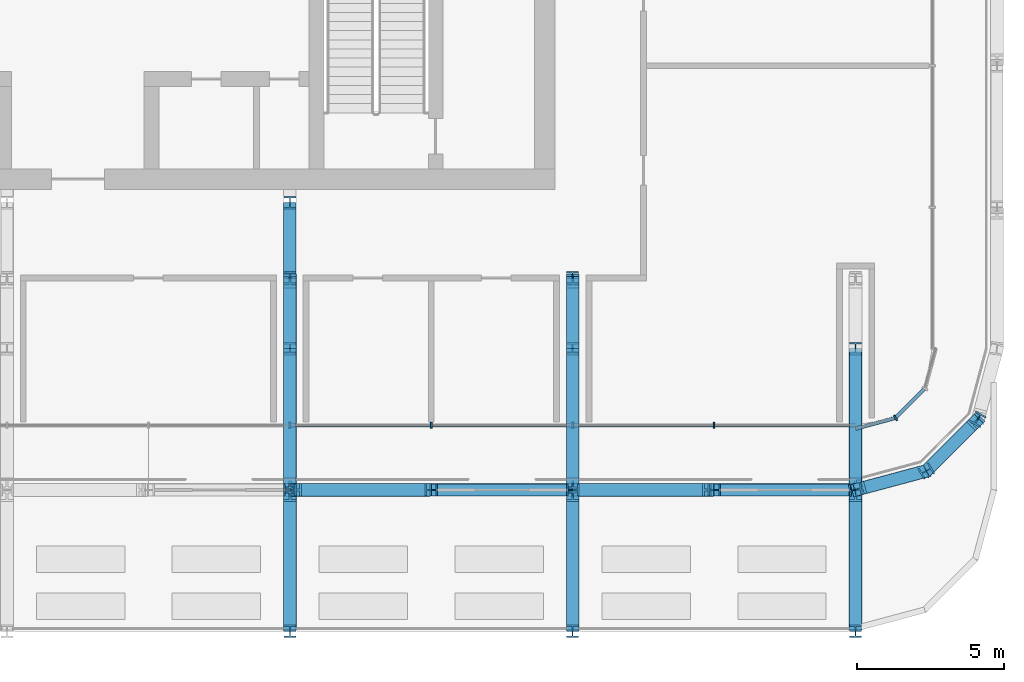
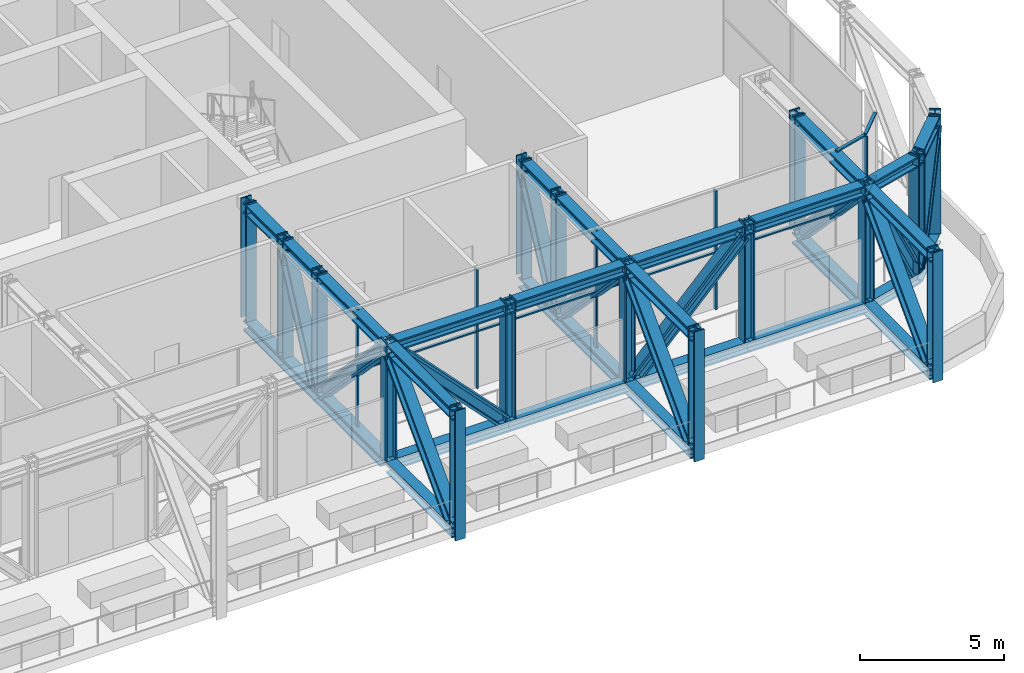
# One storey, part 5 of 22: 71 members, 2 elements without a shape of their own.
"""IFC4 building model written with IfcOpenShell, lengths in metres."""

from ifc_helpers import new_model, si_unit, direction, frame, origin, origin_2d, place, context, subcontext, project, spatial, rectangle, i_section, extrude, material, layer, layer_set, material_profile, profile_set, type_object, element, aggregate, save


model = new_model("IFC4")

# Units and contexts
model_context = context("Model", 3, precision=1e-05, world=origin(), true_north=direction((0.0, 1.0)))
body_context = subcontext(model_context, "Body", "Model", "MODEL_VIEW")
ifc_project = project(units=[si_unit("LENGTHUNIT", "METRE"), si_unit("AREAUNIT", "SQUARE_METRE"), si_unit("VOLUMEUNIT", "CUBIC_METRE"), si_unit("PLANEANGLEUNIT", "RADIAN"), si_unit("MASSUNIT", "GRAM", prefix="KILO")], contexts=[model_context])

# Site, building, storey
site_placement = place(None, origin())
site = spatial("IfcSite", under=ifc_project, at=site_placement, CompositionType="ELEMENT")
building_placement = place(site_placement, origin())
building = spatial("IfcBuilding", under=site, at=building_placement, Name="Madar Terraces", CompositionType="ELEMENT")
storey_placement = place(building_placement, frame((0.0, 0.0, 203.39990234375)))
storey = spatial("IfcBuildingStorey", under=building, at=storey_placement, Name="L53", CompositionType="ELEMENT", Elevation=203.39990234375)

# Members
ifc_material_1 = material(Name="Steel ASTM A992 Grade 50", Category="steel")
ifc_material_profile_1 = material_profile(ifc_material_1, i_section(OverallWidth=0.421630859375, OverallDepth=0.46484375, WebThickness=0.044921875, FlangeThickness=0.072509765625, at=origin_2d()), Name="W14x398")
ifc_profile_set_1 = profile_set([ifc_material_profile_1], Name="Steel ASTM A992 Grade 50")
member_type_1 = type_object("IfcMemberType", Name="BC7 W14x398", PredefinedType="CHORD", material=ifc_profile_set_1)
for number, where, z_axis, x_axis, name in (
    (1, (38.39990234375, 4.800048828125, -0.1875), (1.0, 0.0, 0.0), (0.0, 1.0, 0.0), "Exoskeleton truss ring bottom chord BC7"),
    (2, (43.199951171875, 4.800048828125, -0.1875), (1.0, 0.0, 0.0), (0.0, 1.0, 0.0), "Exoskeleton truss ring bottom chord BC7"),
    (3, (48.0, 4.800048828125, -0.1875), (1.0, 0.0, 0.0), (0.0, 1.0, 0.0), "Exoskeleton truss ring bottom chord BC7"),
    (4, (52.800048828125, 4.800048828125, -0.1875), (1.0, 0.0, 0.0), (0.0, 1.0, 0.0), "Exoskeleton truss ring bottom chord BC7"),
):
    element("IfcMember", number, at=place(storey_placement, frame(where, z_axis=z_axis, x_axis=x_axis)), inside=storey, type_object=member_type_1, Name=name, PredefinedType="CHORD", context=body_context, shape_type="SweptSolid", body=[
        extrude(i_section(OverallWidth=0.421630859375, OverallDepth=0.46484375, WebThickness=0.044921875, FlangeThickness=0.072509765625, at=origin_2d()), origin(), (0.0, 0.0, 1.0), 4.800048828125),
    ])
for number, where, z_axis, x_axis, name in (
    (5, (57.60009765625, 4.800048828125, -0.1875), (0.965924366126, 0.258824494443, 0.0), (-0.258824494443, 0.965924366126, 0.0), "Exoskeleton truss ring bottom chord BC7"),
    (6, (60.0, 5.443115234375, -0.1875), (0.707106781187, 0.707106781187, 0.0), (-0.707106781187, 0.707106781187, 0.0), "Exoskeleton truss ring bottom chord BC7"),
):
    element("IfcMember", number, at=place(storey_placement, frame(where, z_axis=z_axis, x_axis=x_axis)), inside=storey, type_object=member_type_1, Name=name, PredefinedType="CHORD", context=body_context, shape_type="SweptSolid", body=[
        extrude(i_section(OverallWidth=0.421630859375, OverallDepth=0.46484375, WebThickness=0.044921875, FlangeThickness=0.072509765625, at=origin_2d()), origin(), (0.0, 0.0, 1.0), 2.484619140625),
    ])
member_1_placement = place(storey_placement, frame((38.39990234375, 0.0, -0.1875), z_axis=(0.0, 1.0, 0.0), x_axis=(-1.0, 0.0, 0.0)))
element("IfcMember", 7, at=member_1_placement, inside=storey, type_object=member_type_1, Name="Exoskeleton truss cross S38.4 bottom chord BC7", PredefinedType="CHORD", context=body_context, shape_type="SweptSolid", body=[
    extrude(i_section(OverallWidth=0.421630859375, OverallDepth=0.46484375, WebThickness=0.044921875, FlangeThickness=0.072509765625, at=origin_2d()), origin(), (0.0, 0.0, 1.0), 4.589111328125),
])
member_2_placement = place(storey_placement, frame((38.39990234375, 5.0107421875, -0.1875), z_axis=(0.0, 1.0, 0.0), x_axis=(-1.0, 0.0, 0.0)))
element("IfcMember", 8, at=member_2_placement, inside=storey, type_object=member_type_1, Name="Exoskeleton truss cross S38.4 bottom chord BC7", PredefinedType="CHORD", context=body_context, shape_type="SweptSolid", body=[
    extrude(i_section(OverallWidth=0.421630859375, OverallDepth=0.46484375, WebThickness=0.044921875, FlangeThickness=0.072509765625, at=origin_2d()), origin(), (0.0, 0.0, 1.0), 4.58935546875),
])
member_3_placement = place(storey_placement, frame((38.39990234375, 9.60009765625, -0.1875), z_axis=(0.0, 1.0, 0.0), x_axis=(-1.0, 0.0, 0.0)))
element("IfcMember", 9, at=member_3_placement, inside=storey, type_object=member_type_1, Name="Exoskeleton truss cross S38.4 bottom chord BC7", PredefinedType="CHORD", context=body_context, shape_type="SweptSolid", body=[
    extrude(i_section(OverallWidth=0.421630859375, OverallDepth=0.46484375, WebThickness=0.044921875, FlangeThickness=0.072509765625, at=origin_2d()), origin(), (0.0, 0.0, 1.0), 2.39990234375),
])
member_4_placement = place(storey_placement, frame((38.39990234375, 12.0, -0.1875), z_axis=(0.0, 1.0, 0.0), x_axis=(-1.0, 0.0, 0.0)))
element("IfcMember", 10, at=member_4_placement, inside=storey, type_object=member_type_1, Name="Exoskeleton truss cross S38.4 bottom chord BC7", PredefinedType="CHORD", context=body_context, shape_type="SweptSolid", body=[
    extrude(i_section(OverallWidth=0.421630859375, OverallDepth=0.46484375, WebThickness=0.044921875, FlangeThickness=0.072509765625, at=origin_2d()), origin(), (0.0, 0.0, 1.0), 2.550048828125),
])
member_5_placement = place(storey_placement, frame((48.0, 0.0, -0.1875), z_axis=(0.0, 1.0, 0.0), x_axis=(-1.0, 0.0, 0.0)))
element("IfcMember", 11, at=member_5_placement, inside=storey, type_object=member_type_1, Name="Exoskeleton truss cross S48 bottom chord BC7", PredefinedType="CHORD", context=body_context, shape_type="SweptSolid", body=[
    extrude(i_section(OverallWidth=0.421630859375, OverallDepth=0.46484375, WebThickness=0.044921875, FlangeThickness=0.072509765625, at=origin_2d()), origin(), (0.0, 0.0, 1.0), 4.589111328125),
])
member_6_placement = place(storey_placement, frame((48.0, 5.0107421875, -0.1875), z_axis=(0.0, 1.0, 0.0), x_axis=(-1.0, 0.0, 0.0)))
element("IfcMember", 12, at=member_6_placement, inside=storey, type_object=member_type_1, Name="Exoskeleton truss cross S48 bottom chord BC7", PredefinedType="CHORD", context=body_context, shape_type="SweptSolid", body=[
    extrude(i_section(OverallWidth=0.421630859375, OverallDepth=0.46484375, WebThickness=0.044921875, FlangeThickness=0.072509765625, at=origin_2d()), origin(), (0.0, 0.0, 1.0), 4.58935546875),
])
member_7_placement = place(storey_placement, frame((48.0, 9.60009765625, -0.1875), z_axis=(0.0, 1.0, 0.0), x_axis=(-1.0, 0.0, 0.0)))
element("IfcMember", 13, at=member_7_placement, inside=storey, type_object=member_type_1, Name="Exoskeleton truss cross S48 bottom chord BC7", PredefinedType="CHORD", context=body_context, shape_type="SweptSolid", body=[
    extrude(i_section(OverallWidth=0.421630859375, OverallDepth=0.46484375, WebThickness=0.044921875, FlangeThickness=0.072509765625, at=origin_2d()), origin(), (0.0, 0.0, 1.0), 2.39990234375),
])
member_8_placement = place(storey_placement, frame((57.60009765625, 0.0, -0.1875), z_axis=(0.0, 1.0, 0.0), x_axis=(-1.0, 0.0, 0.0)))
element("IfcMember", 14, at=member_8_placement, inside=storey, type_object=member_type_1, Name="Exoskeleton truss cross S57.6 bottom chord BC7", PredefinedType="CHORD", context=body_context, shape_type="SweptSolid", body=[
    extrude(i_section(OverallWidth=0.421630859375, OverallDepth=0.46484375, WebThickness=0.044921875, FlangeThickness=0.072509765625, at=origin_2d()), origin(), (0.0, 0.0, 1.0), 4.589111328125),
])
member_9_placement = place(storey_placement, frame((57.60009765625, 5.0107421875, -0.1875), z_axis=(0.0, 1.0, 0.0), x_axis=(-1.0, 0.0, 0.0)))
element("IfcMember", 15, at=member_9_placement, inside=storey, type_object=member_type_1, Name="Exoskeleton truss cross S57.6 bottom chord BC7", PredefinedType="CHORD", context=body_context, shape_type="SweptSolid", body=[
    extrude(i_section(OverallWidth=0.421630859375, OverallDepth=0.46484375, WebThickness=0.044921875, FlangeThickness=0.072509765625, at=origin_2d()), origin(), (0.0, 0.0, 1.0), 4.58935546875),
])

# Curtain wall, members
ifc_material_2 = material(Name="Glass, ceramic frit dark grey, with black aluminium frame", Category="aluminium")
ifc_layer = layer(ifc_material_2, 0.199951171875)
ifc_layer_set = layer_set([ifc_layer], Name="Facade curtain wall, tall glazing")
curtain_wall_type = type_object("IfcCurtainWallType", Name="Facade curtain wall, tall glazing", PredefinedType="NOTDEFINED", material=ifc_layer_set)
curtain_wall_1_placement = place(storey_placement, origin())
curtain_wall_1 = element("IfcCurtainWall", 16, at=curtain_wall_1_placement, inside=storey, type_object=curtain_wall_type, Name="Outer skin curtain wall south bay 1", PredefinedType="NOTDEFINED")
ifc_material_3 = material(Name="Aluminium, black anodised", Category="aluminium")
ifc_material_profile_2 = material_profile(ifc_material_3, rectangle(XDim=0.199951171875, YDim=0.06005859375, at=origin_2d()), Name="Facade mullion 60x200")
ifc_profile_set_2 = profile_set([ifc_material_profile_2], Name="Aluminium, black anodised")
member_type_2 = type_object("IfcMemberType", Name="Facade mullion 60x200", PredefinedType="MULLION", material=ifc_profile_set_2)
member_10_placement = place(storey_placement, frame((38.39990234375, 7.0, 0.0), z_axis=(0.0, 0.0, 1.0), x_axis=(0.0, 1.0, 0.0)))
member_10 = element("IfcMember", 17, at=member_10_placement, type_object=member_type_2, Name="Mullion 6", PredefinedType="MULLION", context=body_context, shape_type="SweptSolid", body=[
    extrude(rectangle(XDim=0.199951171875, YDim=0.06005859375, at=origin_2d()), origin(), (0.0, 0.0, 1.0), 5.0400390625),
])
member_11_placement = place(storey_placement, frame((43.199951171875, 7.0, 0.0), z_axis=(0.0, 0.0, 1.0), x_axis=(0.0, 1.0, 0.0)))
member_11 = element("IfcMember", 18, at=member_11_placement, type_object=member_type_2, Name="Mullion 7", PredefinedType="MULLION", context=body_context, shape_type="SweptSolid", body=[
    extrude(rectangle(XDim=0.199951171875, YDim=0.06005859375, at=origin_2d()), origin(), (0.0, 0.0, 1.0), 5.0400390625),
])
member_12_placement = place(storey_placement, frame((48.0, 7.0, 0.0), z_axis=(0.0, 0.0, 1.0), x_axis=(0.0, 1.0, 0.0)))
member_12 = element("IfcMember", 19, at=member_12_placement, type_object=member_type_2, Name="Mullion 8", PredefinedType="MULLION", context=body_context, shape_type="SweptSolid", body=[
    extrude(rectangle(XDim=0.199951171875, YDim=0.06005859375, at=origin_2d()), origin(), (0.0, 0.0, 1.0), 5.0400390625),
])
member_13_placement = place(storey_placement, frame((52.800048828125, 7.0, 0.0), z_axis=(0.0, 0.0, 1.0), x_axis=(0.0, 1.0, 0.0)))
member_13 = element("IfcMember", 20, at=member_13_placement, type_object=member_type_2, Name="Mullion 9", PredefinedType="MULLION", context=body_context, shape_type="SweptSolid", body=[
    extrude(rectangle(XDim=0.199951171875, YDim=0.06005859375, at=origin_2d()), origin(), (0.0, 0.0, 1.0), 5.0400390625),
])

# Curtain wall, member
curtain_wall_2_placement = place(storey_placement, origin())
curtain_wall_2 = element("IfcCurtainWall", 21, at=curtain_wall_2_placement, inside=storey, type_object=curtain_wall_type, Name="Outer skin curtain wall south-east corner", PredefinedType="NOTDEFINED")
member_14_placement = place(storey_placement, frame((58.9599609375, 7.244384765625, 0.0), z_axis=(0.0, 0.0, 1.0), x_axis=(-0.500000029202, 0.866025386925, 0.0)))
member_14 = element("IfcMember", 22, at=member_14_placement, type_object=member_type_2, Name="Mullion 1", PredefinedType="MULLION", context=body_context, shape_type="SweptSolid", body=[
    extrude(rectangle(XDim=0.199951171875, YDim=0.06005859375, at=origin_2d()), origin(), (0.0, 0.0, 1.0), 5.0400390625),
])

# Member
ifc_material_4 = material(Name="Aluminium, black anodised", Category="aluminium")
ifc_material_profile_3 = material_profile(ifc_material_4, rectangle(XDim=0.1201171875, YDim=0.06005859375, at=origin_2d()), Name="Facade transom 60x120")
ifc_profile_set_3 = profile_set([ifc_material_profile_3], Name="Aluminium, black anodised")
member_type_3 = type_object("IfcMemberType", Name="Facade transom 60x120", PredefinedType="USERDEFINED", material=ifc_profile_set_3)
member_15_placement = place(storey_placement, frame((38.429931640625, 7.0, 2.400146484375), z_axis=(1.0, 0.0, 0.0), x_axis=(0.0, 1.0, 0.0)))
member_15 = element("IfcMember", 23, at=member_15_placement, type_object=member_type_3, Name="Transom 8", ObjectType="TRANSOM", PredefinedType="USERDEFINED", context=body_context, shape_type="SweptSolid", body=[
    extrude(rectangle(XDim=0.1201171875, YDim=0.06005859375, at=origin_2d()), origin(), (0.0, 0.0, 1.0), 4.739990234375),
])

member_16_placement = place(storey_placement, frame((43.22998046875, 7.0, 2.400146484375), z_axis=(1.0, 0.0, 0.0), x_axis=(0.0, 1.0, 0.0)))
member_16 = element("IfcMember", 24, at=member_16_placement, type_object=member_type_3, Name="Transom 9", ObjectType="TRANSOM", PredefinedType="USERDEFINED", context=body_context, shape_type="SweptSolid", body=[
    extrude(rectangle(XDim=0.1201171875, YDim=0.06005859375, at=origin_2d()), origin(), (0.0, 0.0, 1.0), 4.739990234375),
])

member_17_placement = place(storey_placement, frame((48.030029296875, 7.0, 2.400146484375), z_axis=(1.0, 0.0, 0.0), x_axis=(0.0, 1.0, 0.0)))
member_17 = element("IfcMember", 25, at=member_17_placement, type_object=member_type_3, Name="Transom 10", ObjectType="TRANSOM", PredefinedType="USERDEFINED", context=body_context, shape_type="SweptSolid", body=[
    extrude(rectangle(XDim=0.1201171875, YDim=0.06005859375, at=origin_2d()), origin(), (0.0, 0.0, 1.0), 4.739990234375),
])

member_18_placement = place(storey_placement, frame((52.830078125, 7.0, 2.400146484375), z_axis=(1.0, 0.0, 0.0), x_axis=(0.0, 1.0, 0.0)))
member_18 = element("IfcMember", 26, at=member_18_placement, type_object=member_type_3, Name="Transom 11", ObjectType="TRANSOM", PredefinedType="USERDEFINED", context=body_context, shape_type="SweptSolid", body=[
    extrude(rectangle(XDim=0.1201171875, YDim=0.06005859375, at=origin_2d()), origin(), (0.0, 0.0, 1.0), 4.77001953125),
])

aggregate(curtain_wall_1, [member_10, member_11, member_12, member_13, member_15, member_16, member_17, member_18])

member_19_placement = place(storey_placement, frame((57.60009765625, 6.8798828125, 5.070068359375), z_axis=(0.965907707525, 0.258886655787, 0.0), x_axis=(-0.258886655787, 0.965907707525, 0.0)))
member_19 = element("IfcMember", 27, at=member_19_placement, type_object=member_type_3, Name="Transom 1", ObjectType="TRANSOM", PredefinedType="USERDEFINED", context=body_context, shape_type="SweptSolid", body=[
    extrude(rectangle(XDim=0.1201171875, YDim=0.06005859375, at=origin_2d()), origin(), (0.0, 0.0, 1.0), 1.377685546875),
])

member_20_placement = place(storey_placement, frame((57.60009765625, 6.8798828125, 2.400146484375), z_axis=(0.965907707525, 0.258886655787, 0.0), x_axis=(-0.258886655787, 0.965907707525, 0.0)))
member_20 = element("IfcMember", 28, at=member_20_placement, type_object=member_type_3, Name="Transom 2", ObjectType="TRANSOM", PredefinedType="USERDEFINED", context=body_context, shape_type="SweptSolid", body=[
    extrude(rectangle(XDim=0.1201171875, YDim=0.06005859375, at=origin_2d()), origin(), (0.0, 0.0, 1.0), 1.377685546875),
])

member_21_placement = place(storey_placement, frame((58.981201171875, 7.265625, 5.070068359375), z_axis=(0.707106781187, 0.707106781187, 0.0), x_axis=(-0.707106781187, 0.707106781187, 0.0)))
member_21 = element("IfcMember", 29, at=member_21_placement, type_object=member_type_3, Name="Transom 3", ObjectType="TRANSOM", PredefinedType="USERDEFINED", context=body_context, shape_type="SweptSolid", body=[
    extrude(rectangle(XDim=0.1201171875, YDim=0.06005859375, at=origin_2d()), origin(), (0.0, 0.0, 1.0), 1.347900390625),
])

member_22_placement = place(storey_placement, frame((58.981201171875, 7.265625, 2.400146484375), z_axis=(0.707106781187, 0.707106781187, 0.0), x_axis=(-0.707106781187, 0.707106781187, 0.0)))
member_22 = element("IfcMember", 30, at=member_22_placement, type_object=member_type_3, Name="Transom 4", ObjectType="TRANSOM", PredefinedType="USERDEFINED", context=body_context, shape_type="SweptSolid", body=[
    extrude(rectangle(XDim=0.1201171875, YDim=0.06005859375, at=origin_2d()), origin(), (0.0, 0.0, 1.0), 1.347900390625),
])

aggregate(curtain_wall_2, [member_14, member_19, member_20, member_21, member_22])

# Members
ifc_material_5 = material(Name="Steel ASTM A992 Grade 50", Category="steel")
ifc_material_profile_4 = material_profile(ifc_material_5, i_section(OverallWidth=0.41650390625, OverallDepth=0.444580078125, WebThickness=0.0390625, FlangeThickness=0.062744140625, at=origin_2d()), Name="W14x342")
ifc_profile_set_4 = profile_set([ifc_material_profile_4], Name="Steel ASTM A992 Grade 50")
member_type_4 = type_object("IfcMemberType", Name="TC7 W14x342", PredefinedType="CHORD", material=ifc_profile_set_4)
for number, where, z_axis, x_axis, name in (
    (31, (38.39990234375, 4.800048828125, 4.807861328125), (1.0, 0.0, 0.0), (0.0, 1.0, 0.0), "Exoskeleton truss ring top chord TC7"),
    (32, (43.199951171875, 4.800048828125, 4.807861328125), (1.0, 0.0, 0.0), (0.0, 1.0, 0.0), "Exoskeleton truss ring top chord TC7"),
    (33, (48.0, 4.800048828125, 4.807861328125), (1.0, 0.0, 0.0), (0.0, 1.0, 0.0), "Exoskeleton truss ring top chord TC7"),
    (34, (52.800048828125, 4.800048828125, 4.807861328125), (1.0, 0.0, 0.0), (0.0, 1.0, 0.0), "Exoskeleton truss ring top chord TC7"),
):
    element("IfcMember", number, at=place(storey_placement, frame(where, z_axis=z_axis, x_axis=x_axis)), inside=storey, type_object=member_type_4, Name=name, PredefinedType="CHORD", context=body_context, shape_type="SweptSolid", body=[
        extrude(i_section(OverallWidth=0.41650390625, OverallDepth=0.444580078125, WebThickness=0.0390625, FlangeThickness=0.062744140625, at=origin_2d()), origin(), (0.0, 0.0, 1.0), 4.800048828125),
    ])
for number, where, z_axis, x_axis, name in (
    (35, (57.60009765625, 4.800048828125, 4.807861328125), (0.965924366126, 0.258824494443, 0.0), (-0.258824494443, 0.965924366126, 0.0), "Exoskeleton truss ring top chord TC7"),
    (36, (60.0, 5.443115234375, 4.807861328125), (0.707106781187, 0.707106781187, 0.0), (-0.707106781187, 0.707106781187, 0.0), "Exoskeleton truss ring top chord TC7"),
):
    element("IfcMember", number, at=place(storey_placement, frame(where, z_axis=z_axis, x_axis=x_axis)), inside=storey, type_object=member_type_4, Name=name, PredefinedType="CHORD", context=body_context, shape_type="SweptSolid", body=[
        extrude(i_section(OverallWidth=0.41650390625, OverallDepth=0.444580078125, WebThickness=0.0390625, FlangeThickness=0.062744140625, at=origin_2d()), origin(), (0.0, 0.0, 1.0), 2.484619140625),
    ])
for number, where, z_axis, x_axis, name in (
    (37, (38.39990234375, 0.0, 4.807861328125), (0.0, 1.0, 0.0), (-1.0, 0.0, 0.0), "Exoskeleton truss cross S38.4 top chord TC7"),
    (38, (38.39990234375, 5.00830078125, 4.807861328125), (0.0, 1.0, 0.0), (-1.0, 0.0, 0.0), "Exoskeleton truss cross S38.4 top chord TC7"),
):
    element("IfcMember", number, at=place(storey_placement, frame(where, z_axis=z_axis, x_axis=x_axis)), inside=storey, type_object=member_type_4, Name=name, PredefinedType="CHORD", context=body_context, shape_type="SweptSolid", body=[
        extrude(i_section(OverallWidth=0.41650390625, OverallDepth=0.444580078125, WebThickness=0.0390625, FlangeThickness=0.062744140625, at=origin_2d()), origin(), (0.0, 0.0, 1.0), 4.591796875),
    ])
member_23_placement = place(storey_placement, frame((38.39990234375, 9.60009765625, 4.807861328125), z_axis=(0.0, 1.0, 0.0), x_axis=(-1.0, 0.0, 0.0)))
element("IfcMember", 39, at=member_23_placement, inside=storey, type_object=member_type_4, Name="Exoskeleton truss cross S38.4 top chord TC7", PredefinedType="CHORD", context=body_context, shape_type="SweptSolid", body=[
    extrude(i_section(OverallWidth=0.41650390625, OverallDepth=0.444580078125, WebThickness=0.0390625, FlangeThickness=0.062744140625, at=origin_2d()), origin(), (0.0, 0.0, 1.0), 2.39990234375),
])
member_24_placement = place(storey_placement, frame((38.39990234375, 12.0, 4.807861328125), z_axis=(0.0, 1.0, 0.0), x_axis=(-1.0, 0.0, 0.0)))
element("IfcMember", 40, at=member_24_placement, inside=storey, type_object=member_type_4, Name="Exoskeleton truss cross S38.4 top chord TC7", PredefinedType="CHORD", context=body_context, shape_type="SweptSolid", body=[
    extrude(i_section(OverallWidth=0.41650390625, OverallDepth=0.444580078125, WebThickness=0.0390625, FlangeThickness=0.062744140625, at=origin_2d()), origin(), (0.0, 0.0, 1.0), 2.550048828125),
])
for number, where, z_axis, x_axis, name in (
    (41, (48.0, 0.0, 4.807861328125), (0.0, 1.0, 0.0), (-1.0, 0.0, 0.0), "Exoskeleton truss cross S48 top chord TC7"),
    (42, (48.0, 5.00830078125, 4.807861328125), (0.0, 1.0, 0.0), (-1.0, 0.0, 0.0), "Exoskeleton truss cross S48 top chord TC7"),
):
    element("IfcMember", number, at=place(storey_placement, frame(where, z_axis=z_axis, x_axis=x_axis)), inside=storey, type_object=member_type_4, Name=name, PredefinedType="CHORD", context=body_context, shape_type="SweptSolid", body=[
        extrude(i_section(OverallWidth=0.41650390625, OverallDepth=0.444580078125, WebThickness=0.0390625, FlangeThickness=0.062744140625, at=origin_2d()), origin(), (0.0, 0.0, 1.0), 4.591796875),
    ])
member_25_placement = place(storey_placement, frame((48.0, 9.60009765625, 4.807861328125), z_axis=(0.0, 1.0, 0.0), x_axis=(-1.0, 0.0, 0.0)))
element("IfcMember", 43, at=member_25_placement, inside=storey, type_object=member_type_4, Name="Exoskeleton truss cross S48 top chord TC7", PredefinedType="CHORD", context=body_context, shape_type="SweptSolid", body=[
    extrude(i_section(OverallWidth=0.41650390625, OverallDepth=0.444580078125, WebThickness=0.0390625, FlangeThickness=0.062744140625, at=origin_2d()), origin(), (0.0, 0.0, 1.0), 2.39990234375),
])
for number, where, z_axis, x_axis, name in (
    (44, (57.60009765625, 0.0, 4.807861328125), (0.0, 1.0, 0.0), (-1.0, 0.0, 0.0), "Exoskeleton truss cross S57.6 top chord TC7"),
    (45, (57.60009765625, 5.00830078125, 4.807861328125), (0.0, 1.0, 0.0), (-1.0, 0.0, 0.0), "Exoskeleton truss cross S57.6 top chord TC7"),
):
    element("IfcMember", number, at=place(storey_placement, frame(where, z_axis=z_axis, x_axis=x_axis)), inside=storey, type_object=member_type_4, Name=name, PredefinedType="CHORD", context=body_context, shape_type="SweptSolid", body=[
        extrude(i_section(OverallWidth=0.41650390625, OverallDepth=0.444580078125, WebThickness=0.0390625, FlangeThickness=0.062744140625, at=origin_2d()), origin(), (0.0, 0.0, 1.0), 4.591796875),
    ])
ifc_material_6 = material(Name="Steel ASTM A992 Grade 50", Category="steel")
ifc_material_profile_5 = material_profile(ifc_material_6, i_section(OverallWidth=0.436767578125, OverallDepth=0.51318359375, WebThickness=0.060546875, FlangeThickness=0.096923828125, at=origin_2d()), Name="W14x550")
ifc_profile_set_5 = profile_set([ifc_material_profile_5], Name="Steel ASTM A992 Grade 50")
member_type_5 = type_object("IfcMemberType", Name="TD7 W14x550", PredefinedType="BRACE", material=ifc_profile_set_5)
for number, where, z_axis, x_axis, name in (
    (46, (38.613525390625, 4.800048828125, 4.585693359375), (0.692853764203, 0.0, -0.721078124359), (0.0, 1.0, 0.0), "Exoskeleton truss ring diagonal TD7"),
    (47, (48.223388671875, 4.800048828125, 0.044921875), (0.692853764203, 0.0, 0.721078124359), (0.0, 1.0, 0.0), "Exoskeleton truss ring diagonal TD7"),
):
    element("IfcMember", number, at=place(storey_placement, frame(where, z_axis=z_axis, x_axis=x_axis)), inside=storey, type_object=member_type_5, Name=name, PredefinedType="BRACE", context=body_context, shape_type="SweptSolid", body=[
        extrude(i_section(OverallWidth=0.436767578125, OverallDepth=0.51318359375, WebThickness=0.060546875, FlangeThickness=0.096923828125, at=origin_2d()), origin(), (0.0, 0.0, 1.0), 6.297119140625),
    ])
member_26_placement = place(storey_placement, frame((57.706787109375, 4.82861328125, 4.585693359375), z_axis=(0.430179463645, 0.115247273497, -0.895356741757), x_axis=(-0.25877931008, 0.96593647238, 0.0)))
element("IfcMember", 48, at=member_26_placement, inside=storey, type_object=member_type_5, Name="Exoskeleton truss ring diagonal TD7", PredefinedType="BRACE", context=body_context, shape_type="SweptSolid", body=[
    extrude(i_section(OverallWidth=0.436767578125, OverallDepth=0.51318359375, WebThickness=0.060546875, FlangeThickness=0.096923828125, at=origin_2d()), origin(), (0.0, 0.0, 1.0), 5.071533203125),
])
member_27_placement = place(storey_placement, frame((60.081787109375, 5.52490234375, 0.044921875), z_axis=(0.314889147406, 0.314889147406, 0.895371235685), x_axis=(-0.707106781187, 0.707106781187, 0.0)))
element("IfcMember", 49, at=member_27_placement, inside=storey, type_object=member_type_5, Name="Exoskeleton truss ring diagonal TD7", PredefinedType="BRACE", context=body_context, shape_type="SweptSolid", body=[
    extrude(i_section(OverallWidth=0.436767578125, OverallDepth=0.51318359375, WebThickness=0.060546875, FlangeThickness=0.096923828125, at=origin_2d()), origin(), (0.0, 0.0, 1.0), 5.0712890625),
])
for number, where, z_axis, x_axis, name in (
    (50, (38.39990234375, 0.223388671875, 0.044921875), (0.0, 0.692853764203, 0.721078124359), (-1.0, 0.0, 0.0), "Exoskeleton truss cross S38.4 diagonal TD7"),
    (51, (38.39990234375, 5.013671875, 4.585693359375), (0.0, 0.692853764203, -0.721078124359), (-1.0, 0.0, 0.0), "Exoskeleton truss cross S38.4 diagonal TD7"),
):
    element("IfcMember", number, at=place(storey_placement, frame(where, z_axis=z_axis, x_axis=x_axis)), inside=storey, type_object=member_type_5, Name=name, PredefinedType="BRACE", context=body_context, shape_type="SweptSolid", body=[
        extrude(i_section(OverallWidth=0.436767578125, OverallDepth=0.51318359375, WebThickness=0.060546875, FlangeThickness=0.096923828125, at=origin_2d()), origin(), (0.0, 0.0, 1.0), 6.297119140625),
    ])
member_28_placement = place(storey_placement, frame((38.39990234375, 9.711669921875, 0.044921875), z_axis=(0.0, 0.433065047911, 0.901362670781), x_axis=(-1.0, 0.0, 0.0)))
element("IfcMember", 52, at=member_28_placement, inside=storey, type_object=member_type_5, Name="Exoskeleton truss cross S38.4 diagonal TD7", PredefinedType="BRACE", context=body_context, shape_type="SweptSolid", body=[
    extrude(i_section(OverallWidth=0.436767578125, OverallDepth=0.51318359375, WebThickness=0.060546875, FlangeThickness=0.096923828125, at=origin_2d()), origin(), (0.0, 0.0, 1.0), 5.03759765625),
])
for number, where, z_axis, x_axis, name in (
    (53, (48.0, 0.223388671875, 0.044921875), (0.0, 0.692853764203, 0.721078124359), (-1.0, 0.0, 0.0), "Exoskeleton truss cross S48 diagonal TD7"),
    (54, (48.0, 5.013671875, 4.585693359375), (0.0, 0.692853764203, -0.721078124359), (-1.0, 0.0, 0.0), "Exoskeleton truss cross S48 diagonal TD7"),
):
    element("IfcMember", number, at=place(storey_placement, frame(where, z_axis=z_axis, x_axis=x_axis)), inside=storey, type_object=member_type_5, Name=name, PredefinedType="BRACE", context=body_context, shape_type="SweptSolid", body=[
        extrude(i_section(OverallWidth=0.436767578125, OverallDepth=0.51318359375, WebThickness=0.060546875, FlangeThickness=0.096923828125, at=origin_2d()), origin(), (0.0, 0.0, 1.0), 6.297119140625),
    ])
member_29_placement = place(storey_placement, frame((48.0, 9.711669921875, 0.044921875), z_axis=(0.0, 0.433065047911, 0.901362670781), x_axis=(-1.0, 0.0, 0.0)))
element("IfcMember", 55, at=member_29_placement, inside=storey, type_object=member_type_5, Name="Exoskeleton truss cross S48 diagonal TD7", PredefinedType="BRACE", context=body_context, shape_type="SweptSolid", body=[
    extrude(i_section(OverallWidth=0.436767578125, OverallDepth=0.51318359375, WebThickness=0.060546875, FlangeThickness=0.096923828125, at=origin_2d()), origin(), (0.0, 0.0, 1.0), 5.03759765625),
])
for number, where, z_axis, x_axis, name in (
    (56, (57.60009765625, 0.223388671875, 0.044921875), (0.0, 0.692853764203, 0.721078124359), (-1.0, 0.0, 0.0), "Exoskeleton truss cross S57.6 diagonal TD7"),
    (57, (57.60009765625, 5.013671875, 4.585693359375), (0.0, 0.692853764203, -0.721078124359), (-1.0, 0.0, 0.0), "Exoskeleton truss cross S57.6 diagonal TD7"),
):
    element("IfcMember", number, at=place(storey_placement, frame(where, z_axis=z_axis, x_axis=x_axis)), inside=storey, type_object=member_type_5, Name=name, PredefinedType="BRACE", context=body_context, shape_type="SweptSolid", body=[
        extrude(i_section(OverallWidth=0.436767578125, OverallDepth=0.51318359375, WebThickness=0.060546875, FlangeThickness=0.096923828125, at=origin_2d()), origin(), (0.0, 0.0, 1.0), 6.297119140625),
    ])
ifc_material_7 = material(Name="Steel ASTM A992 Grade 50", Category="steel")
ifc_material_profile_6 = material_profile(ifc_material_7, i_section(OverallWidth=0.408935546875, OverallDepth=0.424072265625, WebThickness=0.03271484375, FlangeThickness=0.052490234375, at=origin_2d()), Name="W14x283")
ifc_profile_set_6 = profile_set([ifc_material_profile_6], Name="Steel ASTM A992 Grade 50")
member_type_6 = type_object("IfcMemberType", Name="TV7 W14x283", PredefinedType="POST", material=ifc_profile_set_6)
for number, where, z_axis, x_axis, name in (
    (58, (38.39990234375, 4.800048828125, 0.044921875), (0.0, 0.0, 1.0), (0.0, 1.0, 0.0), "Exoskeleton truss ring post TV7"),
    (59, (43.199951171875, 4.800048828125, 0.044921875), (0.0, 0.0, 1.0), (0.0, 1.0, 0.0), "Exoskeleton truss ring post TV7"),
    (60, (48.0, 4.800048828125, 0.044921875), (0.0, 0.0, 1.0), (0.0, 1.0, 0.0), "Exoskeleton truss ring post TV7"),
    (61, (52.800048828125, 4.800048828125, 0.044921875), (0.0, 0.0, 1.0), (0.0, 1.0, 0.0), "Exoskeleton truss ring post TV7"),
    (62, (57.60009765625, 4.800048828125, 0.044921875), (0.0, 0.0, 1.0), (-0.130526174916, 0.991444863652, 0.0), "Exoskeleton truss ring post TV7"),
    (63, (60.0, 5.443115234375, 0.044921875), (0.0, 0.0, 1.0), (-0.499999984885, 0.866025412511, 0.0), "Exoskeleton truss ring post TV7"),
    (64, (61.7568359375, 7.199951171875, 0.044921875), (0.0, 0.0, 1.0), (-0.866025412511, 0.499999984885, 0.0), "Exoskeleton truss ring post TV7"),
):
    element("IfcMember", number, at=place(storey_placement, frame(where, z_axis=z_axis, x_axis=x_axis)), inside=storey, type_object=member_type_6, Name=name, PredefinedType="POST", context=body_context, shape_type="SweptSolid", body=[
        extrude(i_section(OverallWidth=0.408935546875, OverallDepth=0.424072265625, WebThickness=0.03271484375, FlangeThickness=0.052490234375, at=origin_2d()), origin(), (0.0, 0.0, 1.0), 5.05517578125),
    ])
member_30_placement = place(storey_placement, frame((38.39990234375, 0.0, -0.419921875), z_axis=(0.0, 0.0, 1.0), x_axis=(-1.0, 0.0, 0.0)))
element("IfcMember", 65, at=member_30_placement, inside=storey, type_object=member_type_6, Name="Exoskeleton truss cross S38.4 post TV7", PredefinedType="POST", context=body_context, shape_type="SweptSolid", body=[
    extrude(i_section(OverallWidth=0.408935546875, OverallDepth=0.424072265625, WebThickness=0.03271484375, FlangeThickness=0.052490234375, at=origin_2d()), origin(), (0.0, 0.0, 1.0), 5.52001953125),
])
for number, where, z_axis, x_axis, name in (
    (66, (38.39990234375, 9.60009765625, 0.044921875), (0.0, 0.0, 1.0), (-1.0, 0.0, 0.0), "Exoskeleton truss cross S38.4 post TV7"),
    (67, (38.39990234375, 12.0, 0.044921875), (0.0, 0.0, 1.0), (-1.0, 0.0, 0.0), "Exoskeleton truss cross S38.4 post TV7"),
    (68, (38.39990234375, 14.550048828125, 0.044921875), (0.0, 0.0, 1.0), (-1.0, 0.0, 0.0), "Exoskeleton truss cross S38.4 post TV7"),
):
    element("IfcMember", number, at=place(storey_placement, frame(where, z_axis=z_axis, x_axis=x_axis)), inside=storey, type_object=member_type_6, Name=name, PredefinedType="POST", context=body_context, shape_type="SweptSolid", body=[
        extrude(i_section(OverallWidth=0.408935546875, OverallDepth=0.424072265625, WebThickness=0.03271484375, FlangeThickness=0.052490234375, at=origin_2d()), origin(), (0.0, 0.0, 1.0), 5.05517578125),
    ])
member_31_placement = place(storey_placement, frame((48.0, 0.0, -0.419921875), z_axis=(0.0, 0.0, 1.0), x_axis=(-1.0, 0.0, 0.0)))
element("IfcMember", 69, at=member_31_placement, inside=storey, type_object=member_type_6, Name="Exoskeleton truss cross S48 post TV7", PredefinedType="POST", context=body_context, shape_type="SweptSolid", body=[
    extrude(i_section(OverallWidth=0.408935546875, OverallDepth=0.424072265625, WebThickness=0.03271484375, FlangeThickness=0.052490234375, at=origin_2d()), origin(), (0.0, 0.0, 1.0), 5.52001953125),
])
for number, where, z_axis, x_axis, name in (
    (70, (48.0, 9.60009765625, 0.044921875), (0.0, 0.0, 1.0), (-1.0, 0.0, 0.0), "Exoskeleton truss cross S48 post TV7"),
    (71, (48.0, 12.0, 0.044921875), (0.0, 0.0, 1.0), (-1.0, 0.0, 0.0), "Exoskeleton truss cross S48 post TV7"),
):
    element("IfcMember", number, at=place(storey_placement, frame(where, z_axis=z_axis, x_axis=x_axis)), inside=storey, type_object=member_type_6, Name=name, PredefinedType="POST", context=body_context, shape_type="SweptSolid", body=[
        extrude(i_section(OverallWidth=0.408935546875, OverallDepth=0.424072265625, WebThickness=0.03271484375, FlangeThickness=0.052490234375, at=origin_2d()), origin(), (0.0, 0.0, 1.0), 5.05517578125),
    ])
member_32_placement = place(storey_placement, frame((57.60009765625, 0.0, -0.419921875), z_axis=(0.0, 0.0, 1.0), x_axis=(-1.0, 0.0, 0.0)))
element("IfcMember", 72, at=member_32_placement, inside=storey, type_object=member_type_6, Name="Exoskeleton truss cross S57.6 post TV7", PredefinedType="POST", context=body_context, shape_type="SweptSolid", body=[
    extrude(i_section(OverallWidth=0.408935546875, OverallDepth=0.424072265625, WebThickness=0.03271484375, FlangeThickness=0.052490234375, at=origin_2d()), origin(), (0.0, 0.0, 1.0), 5.52001953125),
])
member_33_placement = place(storey_placement, frame((57.60009765625, 9.60009765625, 0.044921875), z_axis=(0.0, 0.0, 1.0), x_axis=(-1.0, 0.0, 0.0)))
element("IfcMember", 73, at=member_33_placement, inside=storey, type_object=member_type_6, Name="Exoskeleton truss cross S57.6 post TV7", PredefinedType="POST", context=body_context, shape_type="SweptSolid", body=[
    extrude(i_section(OverallWidth=0.408935546875, OverallDepth=0.424072265625, WebThickness=0.03271484375, FlangeThickness=0.052490234375, at=origin_2d()), origin(), (0.0, 0.0, 1.0), 5.05517578125),
])

save(model, "model.ifc")
